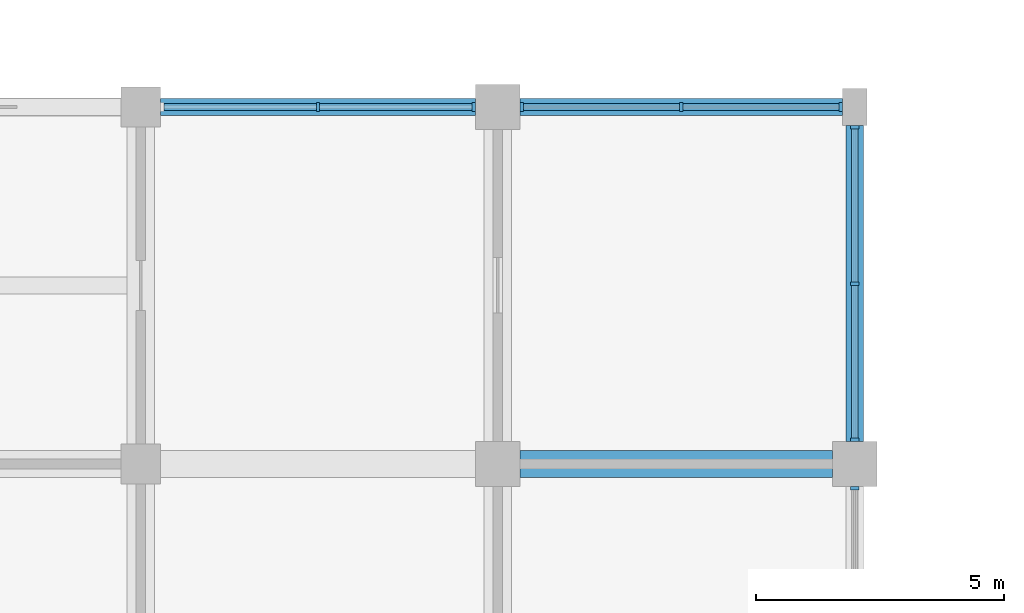
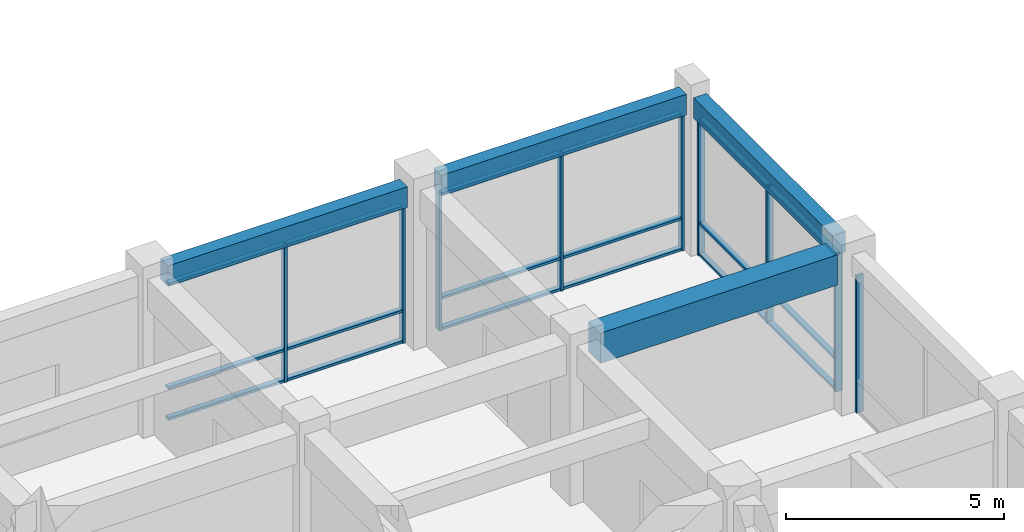
# One storey, part 29 of 75: 27 members, 4 beams, 4 elements without a shape of their own.
"""IFC4 building model written with IfcOpenShell, lengths in metres."""

from ifc_helpers import new_model, si_unit, direction, frame, origin, origin_2d, place, context, subcontext, project, spatial, rectangle, extrude, material, layer, layer_set, material_profile, profile_set, type_object, element, aggregate, save


model = new_model("IFC4")

# Units and contexts
model_context = context("Model", 3, precision=1e-05, world=origin(), true_north=direction((0.0, 1.0)))
body_context = subcontext(model_context, "Body", "Model", "MODEL_VIEW")
ifc_project = project(units=[si_unit("LENGTHUNIT", "METRE"), si_unit("AREAUNIT", "SQUARE_METRE"), si_unit("VOLUMEUNIT", "CUBIC_METRE"), si_unit("PLANEANGLEUNIT", "RADIAN"), si_unit("MASSUNIT", "GRAM", prefix="KILO")], contexts=[model_context])

# Site, building, storey
site_placement = place(None, origin())
site = spatial("IfcSite", under=ifc_project, at=site_placement, CompositionType="ELEMENT")
building_placement = place(site_placement, origin())
building = spatial("IfcBuilding", under=site, at=building_placement, Name="Cendaluz Park School", CompositionType="ELEMENT")
storey_placement = place(building_placement, frame((0.0, 0.0, 4.800048828125)))
storey = spatial("IfcBuildingStorey", under=building, at=storey_placement, Name="L01", CompositionType="ELEMENT", Elevation=4.800048828125)

# Beams
ifc_material_1 = material(Name="Concrete C40/50", Category="concrete")
ifc_material_profile_1 = material_profile(ifc_material_1, rectangle(XDim=0.550048828125, YDim=0.85009765625, at=origin_2d()), Name="RC 550x850", Category="concrete")
ifc_profile_set_1 = profile_set([ifc_material_profile_1], Name="Concrete C40/50")
beam_type_1 = type_object("IfcBeamType", Name="BM-RC01", PredefinedType="BEAM", material=ifc_profile_set_1)
beam_1_placement = place(storey_placement, frame((101.25, 64.800048828125, 4.0048828125), z_axis=(1.0, 0.0, 0.0), x_axis=(0.0, 1.0, 0.0)))
element("IfcBeam", 1, at=beam_1_placement, inside=storey, type_object=beam_type_1, Name="BM-L01-BMRC01-0142", PredefinedType="BEAM", context=body_context, shape_type="SweptSolid", body=[
    extrude(rectangle(XDim=0.550048828125, YDim=0.85009765625, at=origin_2d()), origin(), (0.0, 0.0, 1.0), 6.300048828125),
])
ifc_material_profile_2 = material_profile(ifc_material_1, rectangle(XDim=0.35009765625, YDim=0.580078125, at=origin_2d()), Name="RC 350x580", Category="concrete")
ifc_profile_set_2 = profile_set([ifc_material_profile_2], Name="Concrete C40/50")
beam_type_2 = type_object("IfcBeamType", Name="BM-RC04", PredefinedType="LINTEL", material=ifc_profile_set_2)
beam_2_placement = place(storey_placement, frame((94.0, 72.0, 4.139892578125), z_axis=(1.0, 0.0, 0.0), x_axis=(0.0, 1.0, 0.0)))
element("IfcBeam", 2, at=beam_2_placement, inside=storey, type_object=beam_type_2, Name="BM-L01-BMRC04-0134", PredefinedType="LINTEL", context=body_context, shape_type="SweptSolid", body=[
    extrude(rectangle(XDim=0.35009765625, YDim=0.580078125, at=origin_2d()), origin(), (0.0, 0.0, 1.0), 6.35009765625),
])
beam_3_placement = place(storey_placement, frame((101.25, 72.0, 4.139892578125), z_axis=(1.0, 0.0, 0.0), x_axis=(0.0, 1.0, 0.0)))
element("IfcBeam", 3, at=beam_3_placement, inside=storey, type_object=beam_type_2, Name="BM-L01-BMRC04-0143", PredefinedType="LINTEL", context=body_context, shape_type="SweptSolid", body=[
    extrude(rectangle(XDim=0.35009765625, YDim=0.580078125, at=origin_2d()), origin(), (0.0, 0.0, 1.0), 6.5),
])
beam_4_placement = place(storey_placement, frame((108.0, 65.25, 4.139892578125), z_axis=(0.0, 1.0, 0.0), x_axis=(-1.0, 0.0, 0.0)))
element("IfcBeam", 4, at=beam_4_placement, inside=storey, type_object=beam_type_2, Name="BM-L01-BMRC04-0379", PredefinedType="LINTEL", context=body_context, shape_type="SweptSolid", body=[
    extrude(rectangle(XDim=0.35009765625, YDim=0.580078125, at=origin_2d()), origin(), (0.0, 0.0, 1.0), 6.375),
])

# Curtain wall, members
ifc_material_2 = material(Name="Anodised Aluminium 6063-T6", Category="aluminium")
ifc_layer_1 = layer(ifc_material_2, 0.179931640625)
ifc_layer_set_1 = layer_set([ifc_layer_1], Name="Anodised Aluminium 6063-T6")
curtain_wall_type_1 = type_object("IfcCurtainWallType", Name="CW-127x77", PredefinedType="NOTDEFINED", material=ifc_layer_set_1)
curtain_wall_1_placement = place(storey_placement, origin())
curtain_wall_1 = element("IfcCurtainWall", 5, at=curtain_wall_1_placement, inside=storey, type_object=curtain_wall_type_1, Name="CW-L01-047", PredefinedType="NOTDEFINED")
ifc_material_profile_3 = material_profile(ifc_material_2, rectangle(XDim=0.179931640625, YDim=0.070068359375, at=origin_2d()), Name="CWM 180x70", Category="aluminium")
ifc_profile_set_3 = profile_set([ifc_material_profile_3], Name="Anodised Aluminium 6063-T6")
member_type_1 = type_object("IfcMemberType", Name="CWM-01", PredefinedType="MULLION", material=ifc_profile_set_3)
member_1_placement = place(storey_placement, frame((97.175048828125, 72.0, 0.0), z_axis=(0.0, 0.0, 1.0), x_axis=(0.0, 1.0, 0.0)))
member_1 = element("IfcMember", 6, at=member_1_placement, type_object=member_type_1, Name="CP-L01-0600", PredefinedType="MULLION", context=body_context, shape_type="SweptSolid", body=[
    extrude(rectangle(XDim=0.179931640625, YDim=0.070068359375, at=origin_2d()), origin(), (0.0, 0.0, 1.0), 3.849853515625),
])
member_2_placement = place(storey_placement, frame((100.31494140625, 72.0, 0.0), z_axis=(0.0, 0.0, 1.0), x_axis=(0.0, 1.0, 0.0)))
member_2 = element("IfcMember", 7, at=member_2_placement, type_object=member_type_1, Name="CP-L01-0601", PredefinedType="MULLION", context=body_context, shape_type="SweptSolid", body=[
    extrude(rectangle(XDim=0.179931640625, YDim=0.070068359375, at=origin_2d()), origin(), (0.0, 0.0, 1.0), 3.849853515625),
])

# Curtain wall, member
ifc_layer_2 = layer(ifc_material_2, 0.179931640625)
ifc_layer_set_2 = layer_set([ifc_layer_2], Name="Anodised Aluminium 6063-T6")
curtain_wall_type_2 = type_object("IfcCurtainWallType", Name="CW-126x77", PredefinedType="NOTDEFINED", material=ifc_layer_set_2)
curtain_wall_2_placement = place(storey_placement, origin())
curtain_wall_2 = element("IfcCurtainWall", 8, at=curtain_wall_2_placement, inside=storey, type_object=curtain_wall_type_2, Name="CW-L01-050", PredefinedType="NOTDEFINED")
member_3_placement = place(storey_placement, frame((108.0, 64.31494140625, 0.0), z_axis=(0.0, 0.0, 1.0), x_axis=(-1.0, 0.0, 0.0)))
member_3 = element("IfcMember", 9, at=member_3_placement, type_object=member_type_1, Name="CP-L01-0640", PredefinedType="MULLION", context=body_context, shape_type="SweptSolid", body=[
    extrude(rectangle(XDim=0.179931640625, YDim=0.070068359375, at=origin_2d()), origin(), (0.0, 0.0, 1.0), 3.849853515625),
])
aggregate(curtain_wall_2, [member_3])

# Curtain wall, members
ifc_layer_3 = layer(ifc_material_2, 0.179931640625)
ifc_layer_set_3 = layer_set([ifc_layer_3], Name="Anodised Aluminium 6063-T6")
curtain_wall_type_3 = type_object("IfcCurtainWallType", Name="CW-130x77", PredefinedType="NOTDEFINED", material=ifc_layer_set_3)
curtain_wall_3_placement = place(storey_placement, origin())
curtain_wall_3 = element("IfcCurtainWall", 10, at=curtain_wall_3_placement, inside=storey, type_object=curtain_wall_type_3, Name="CW-L01-051", PredefinedType="NOTDEFINED")
member_4_placement = place(storey_placement, frame((101.284912109375, 72.0, 0.0), z_axis=(0.0, 0.0, 1.0), x_axis=(0.0, 1.0, 0.0)))
member_4 = element("IfcMember", 11, at=member_4_placement, type_object=member_type_1, Name="CP-L01-0651", PredefinedType="MULLION", context=body_context, shape_type="SweptSolid", body=[
    extrude(rectangle(XDim=0.179931640625, YDim=0.070068359375, at=origin_2d()), origin(), (0.0, 0.0, 1.0), 3.849853515625),
])
member_5_placement = place(storey_placement, frame((104.5, 72.0, 0.0), z_axis=(0.0, 0.0, 1.0), x_axis=(0.0, 1.0, 0.0)))
member_5 = element("IfcMember", 12, at=member_5_placement, type_object=member_type_1, Name="CP-L01-0652", PredefinedType="MULLION", context=body_context, shape_type="SweptSolid", body=[
    extrude(rectangle(XDim=0.179931640625, YDim=0.070068359375, at=origin_2d()), origin(), (0.0, 0.0, 1.0), 3.849853515625),
])
member_6_placement = place(storey_placement, frame((107.715087890625, 72.0, 0.0), z_axis=(0.0, 0.0, 1.0), x_axis=(0.0, 1.0, 0.0)))
member_6 = element("IfcMember", 13, at=member_6_placement, type_object=member_type_1, Name="CP-L01-0653", PredefinedType="MULLION", context=body_context, shape_type="SweptSolid", body=[
    extrude(rectangle(XDim=0.179931640625, YDim=0.070068359375, at=origin_2d()), origin(), (0.0, 0.0, 1.0), 3.849853515625),
])

ifc_layer_4 = layer(ifc_material_2, 0.179931640625)
ifc_layer_set_4 = layer_set([ifc_layer_4], Name="Anodised Aluminium 6063-T6")
curtain_wall_type_4 = type_object("IfcCurtainWallType", Name="CW-128x77", PredefinedType="NOTDEFINED", material=ifc_layer_set_4)
curtain_wall_4_placement = place(storey_placement, origin())
curtain_wall_4 = element("IfcCurtainWall", 14, at=curtain_wall_4_placement, inside=storey, type_object=curtain_wall_type_4, Name="CW-L01-052", PredefinedType="NOTDEFINED")
member_7_placement = place(storey_placement, frame((108.0, 65.284912109375, 0.0), z_axis=(0.0, 0.0, 1.0), x_axis=(-1.0, 0.0, 0.0)))
member_7 = element("IfcMember", 15, at=member_7_placement, type_object=member_type_1, Name="CP-L01-0664", PredefinedType="MULLION", context=body_context, shape_type="SweptSolid", body=[
    extrude(rectangle(XDim=0.179931640625, YDim=0.070068359375, at=origin_2d()), origin(), (0.0, 0.0, 1.0), 3.849853515625),
])
member_8_placement = place(storey_placement, frame((108.0, 68.4375, 0.0), z_axis=(0.0, 0.0, 1.0), x_axis=(-1.0, 0.0, 0.0)))
member_8 = element("IfcMember", 16, at=member_8_placement, type_object=member_type_1, Name="CP-L01-0665", PredefinedType="MULLION", context=body_context, shape_type="SweptSolid", body=[
    extrude(rectangle(XDim=0.179931640625, YDim=0.070068359375, at=origin_2d()), origin(), (0.0, 0.0, 1.0), 3.849853515625),
])
member_9_placement = place(storey_placement, frame((108.0, 71.590087890625, 0.0), z_axis=(0.0, 0.0, 1.0), x_axis=(-1.0, 0.0, 0.0)))
member_9 = element("IfcMember", 17, at=member_9_placement, type_object=member_type_1, Name="CP-L01-0666", PredefinedType="MULLION", context=body_context, shape_type="SweptSolid", body=[
    extrude(rectangle(XDim=0.179931640625, YDim=0.070068359375, at=origin_2d()), origin(), (0.0, 0.0, 1.0), 3.849853515625),
])

# Member
ifc_material_profile_4 = material_profile(ifc_material_2, rectangle(XDim=0.139892578125, YDim=0.070068359375, at=origin_2d()), Name="CWT 140x70", Category="aluminium")
ifc_profile_set_4 = profile_set([ifc_material_profile_4], Name="Anodised Aluminium 6063-T6")
member_type_2 = type_object("IfcMemberType", Name="CWT-01", PredefinedType="USERDEFINED", material=ifc_profile_set_4)
member_10_placement = place(storey_placement, frame((94.070068359375, 72.0, 0.034912109375), z_axis=(1.0, 0.0, 0.0), x_axis=(0.0, 1.0, 0.0)))
member_10 = element("IfcMember", 18, at=member_10_placement, type_object=member_type_2, Name="CP-L01-0602", ObjectType="TRANSOM", PredefinedType="USERDEFINED", context=body_context, shape_type="SweptSolid", body=[
    extrude(rectangle(XDim=0.139892578125, YDim=0.070068359375, at=origin_2d()), origin(), (0.0, 0.0, 1.0), 3.06982421875),
])

member_11_placement = place(storey_placement, frame((94.070068359375, 72.0, 0.89990234375), z_axis=(1.0, 0.0, 0.0), x_axis=(0.0, 1.0, 0.0)))
member_11 = element("IfcMember", 19, at=member_11_placement, type_object=member_type_2, Name="CP-L01-0603", ObjectType="TRANSOM", PredefinedType="USERDEFINED", context=body_context, shape_type="SweptSolid", body=[
    extrude(rectangle(XDim=0.139892578125, YDim=0.070068359375, at=origin_2d()), origin(), (0.0, 0.0, 1.0), 3.06982421875),
])

member_12_placement = place(storey_placement, frame((94.070068359375, 72.0, 3.81494140625), z_axis=(1.0, 0.0, 0.0), x_axis=(0.0, 1.0, 0.0)))
member_12 = element("IfcMember", 20, at=member_12_placement, type_object=member_type_2, Name="CP-L01-0604", ObjectType="TRANSOM", PredefinedType="USERDEFINED", context=body_context, shape_type="SweptSolid", body=[
    extrude(rectangle(XDim=0.139892578125, YDim=0.070068359375, at=origin_2d()), origin(), (0.0, 0.0, 1.0), 3.06982421875),
])

member_13_placement = place(storey_placement, frame((97.2099609375, 72.0, 0.034912109375), z_axis=(1.0, 0.0, 0.0), x_axis=(0.0, 1.0, 0.0)))
member_13 = element("IfcMember", 21, at=member_13_placement, type_object=member_type_2, Name="CP-L01-0607", ObjectType="TRANSOM", PredefinedType="USERDEFINED", context=body_context, shape_type="SweptSolid", body=[
    extrude(rectangle(XDim=0.139892578125, YDim=0.070068359375, at=origin_2d()), origin(), (0.0, 0.0, 1.0), 3.070068359375),
])

member_14_placement = place(storey_placement, frame((97.2099609375, 72.0, 0.89990234375), z_axis=(1.0, 0.0, 0.0), x_axis=(0.0, 1.0, 0.0)))
member_14 = element("IfcMember", 22, at=member_14_placement, type_object=member_type_2, Name="CP-L01-0608", ObjectType="TRANSOM", PredefinedType="USERDEFINED", context=body_context, shape_type="SweptSolid", body=[
    extrude(rectangle(XDim=0.139892578125, YDim=0.070068359375, at=origin_2d()), origin(), (0.0, 0.0, 1.0), 3.070068359375),
])

member_15_placement = place(storey_placement, frame((97.2099609375, 72.0, 3.81494140625), z_axis=(1.0, 0.0, 0.0), x_axis=(0.0, 1.0, 0.0)))
member_15 = element("IfcMember", 23, at=member_15_placement, type_object=member_type_2, Name="CP-L01-0609", ObjectType="TRANSOM", PredefinedType="USERDEFINED", context=body_context, shape_type="SweptSolid", body=[
    extrude(rectangle(XDim=0.139892578125, YDim=0.070068359375, at=origin_2d()), origin(), (0.0, 0.0, 1.0), 3.070068359375),
])

aggregate(curtain_wall_1, [member_1, member_2, member_10, member_11, member_12, member_13, member_14, member_15])

member_16_placement = place(storey_placement, frame((101.320068359375, 72.0, 0.034912109375), z_axis=(1.0, 0.0, 0.0), x_axis=(0.0, 1.0, 0.0)))
member_16 = element("IfcMember", 24, at=member_16_placement, type_object=member_type_2, Name="CP-L01-0654", ObjectType="TRANSOM", PredefinedType="USERDEFINED", context=body_context, shape_type="SweptSolid", body=[
    extrude(rectangle(XDim=0.139892578125, YDim=0.070068359375, at=origin_2d()), origin(), (0.0, 0.0, 1.0), 3.14501953125),
])

member_17_placement = place(storey_placement, frame((101.320068359375, 72.0, 0.89990234375), z_axis=(1.0, 0.0, 0.0), x_axis=(0.0, 1.0, 0.0)))
member_17 = element("IfcMember", 25, at=member_17_placement, type_object=member_type_2, Name="CP-L01-0655", ObjectType="TRANSOM", PredefinedType="USERDEFINED", context=body_context, shape_type="SweptSolid", body=[
    extrude(rectangle(XDim=0.139892578125, YDim=0.070068359375, at=origin_2d()), origin(), (0.0, 0.0, 1.0), 3.14501953125),
])

member_18_placement = place(storey_placement, frame((101.320068359375, 72.0, 3.81494140625), z_axis=(1.0, 0.0, 0.0), x_axis=(0.0, 1.0, 0.0)))
member_18 = element("IfcMember", 26, at=member_18_placement, type_object=member_type_2, Name="CP-L01-0656", ObjectType="TRANSOM", PredefinedType="USERDEFINED", context=body_context, shape_type="SweptSolid", body=[
    extrude(rectangle(XDim=0.139892578125, YDim=0.070068359375, at=origin_2d()), origin(), (0.0, 0.0, 1.0), 3.14501953125),
])

member_19_placement = place(storey_placement, frame((104.534912109375, 72.0, 0.034912109375), z_axis=(1.0, 0.0, 0.0), x_axis=(0.0, 1.0, 0.0)))
member_19 = element("IfcMember", 27, at=member_19_placement, type_object=member_type_2, Name="CP-L01-0659", ObjectType="TRANSOM", PredefinedType="USERDEFINED", context=body_context, shape_type="SweptSolid", body=[
    extrude(rectangle(XDim=0.139892578125, YDim=0.070068359375, at=origin_2d()), origin(), (0.0, 0.0, 1.0), 3.14501953125),
])

member_20_placement = place(storey_placement, frame((104.534912109375, 72.0, 0.89990234375), z_axis=(1.0, 0.0, 0.0), x_axis=(0.0, 1.0, 0.0)))
member_20 = element("IfcMember", 28, at=member_20_placement, type_object=member_type_2, Name="CP-L01-0660", ObjectType="TRANSOM", PredefinedType="USERDEFINED", context=body_context, shape_type="SweptSolid", body=[
    extrude(rectangle(XDim=0.139892578125, YDim=0.070068359375, at=origin_2d()), origin(), (0.0, 0.0, 1.0), 3.14501953125),
])

member_21_placement = place(storey_placement, frame((104.534912109375, 72.0, 3.81494140625), z_axis=(1.0, 0.0, 0.0), x_axis=(0.0, 1.0, 0.0)))
member_21 = element("IfcMember", 29, at=member_21_placement, type_object=member_type_2, Name="CP-L01-0661", ObjectType="TRANSOM", PredefinedType="USERDEFINED", context=body_context, shape_type="SweptSolid", body=[
    extrude(rectangle(XDim=0.139892578125, YDim=0.070068359375, at=origin_2d()), origin(), (0.0, 0.0, 1.0), 3.14501953125),
])

aggregate(curtain_wall_3, [member_4, member_5, member_6, member_16, member_17, member_18, member_19, member_20, member_21])

member_22_placement = place(storey_placement, frame((108.0, 65.320068359375, 0.034912109375), z_axis=(0.0, 1.0, 0.0), x_axis=(-1.0, 0.0, 0.0)))
member_22 = element("IfcMember", 30, at=member_22_placement, type_object=member_type_2, Name="CP-L01-0667", ObjectType="TRANSOM", PredefinedType="USERDEFINED", context=body_context, shape_type="SweptSolid", body=[
    extrude(rectangle(XDim=0.139892578125, YDim=0.070068359375, at=origin_2d()), origin(), (0.0, 0.0, 1.0), 3.08251953125),
])

member_23_placement = place(storey_placement, frame((108.0, 65.320068359375, 0.89990234375), z_axis=(0.0, 1.0, 0.0), x_axis=(-1.0, 0.0, 0.0)))
member_23 = element("IfcMember", 31, at=member_23_placement, type_object=member_type_2, Name="CP-L01-0668", ObjectType="TRANSOM", PredefinedType="USERDEFINED", context=body_context, shape_type="SweptSolid", body=[
    extrude(rectangle(XDim=0.139892578125, YDim=0.070068359375, at=origin_2d()), origin(), (0.0, 0.0, 1.0), 3.08251953125),
])

member_24_placement = place(storey_placement, frame((108.0, 65.320068359375, 3.81494140625), z_axis=(0.0, 1.0, 0.0), x_axis=(-1.0, 0.0, 0.0)))
member_24 = element("IfcMember", 32, at=member_24_placement, type_object=member_type_2, Name="CP-L01-0669", ObjectType="TRANSOM", PredefinedType="USERDEFINED", context=body_context, shape_type="SweptSolid", body=[
    extrude(rectangle(XDim=0.139892578125, YDim=0.070068359375, at=origin_2d()), origin(), (0.0, 0.0, 1.0), 3.08251953125),
])

member_25_placement = place(storey_placement, frame((108.0, 68.472412109375, 0.034912109375), z_axis=(0.0, 1.0, 0.0), x_axis=(-1.0, 0.0, 0.0)))
member_25 = element("IfcMember", 33, at=member_25_placement, type_object=member_type_2, Name="CP-L01-0672", ObjectType="TRANSOM", PredefinedType="USERDEFINED", context=body_context, shape_type="SweptSolid", body=[
    extrude(rectangle(XDim=0.139892578125, YDim=0.070068359375, at=origin_2d()), origin(), (0.0, 0.0, 1.0), 3.08251953125),
])

member_26_placement = place(storey_placement, frame((108.0, 68.472412109375, 0.89990234375), z_axis=(0.0, 1.0, 0.0), x_axis=(-1.0, 0.0, 0.0)))
member_26 = element("IfcMember", 34, at=member_26_placement, type_object=member_type_2, Name="CP-L01-0673", ObjectType="TRANSOM", PredefinedType="USERDEFINED", context=body_context, shape_type="SweptSolid", body=[
    extrude(rectangle(XDim=0.139892578125, YDim=0.070068359375, at=origin_2d()), origin(), (0.0, 0.0, 1.0), 3.08251953125),
])

member_27_placement = place(storey_placement, frame((108.0, 68.472412109375, 3.81494140625), z_axis=(0.0, 1.0, 0.0), x_axis=(-1.0, 0.0, 0.0)))
member_27 = element("IfcMember", 35, at=member_27_placement, type_object=member_type_2, Name="CP-L01-0674", ObjectType="TRANSOM", PredefinedType="USERDEFINED", context=body_context, shape_type="SweptSolid", body=[
    extrude(rectangle(XDim=0.139892578125, YDim=0.070068359375, at=origin_2d()), origin(), (0.0, 0.0, 1.0), 3.08251953125),
])

aggregate(curtain_wall_4, [member_7, member_8, member_9, member_22, member_23, member_24, member_25, member_26, member_27])

save(model, "model.ifc")
